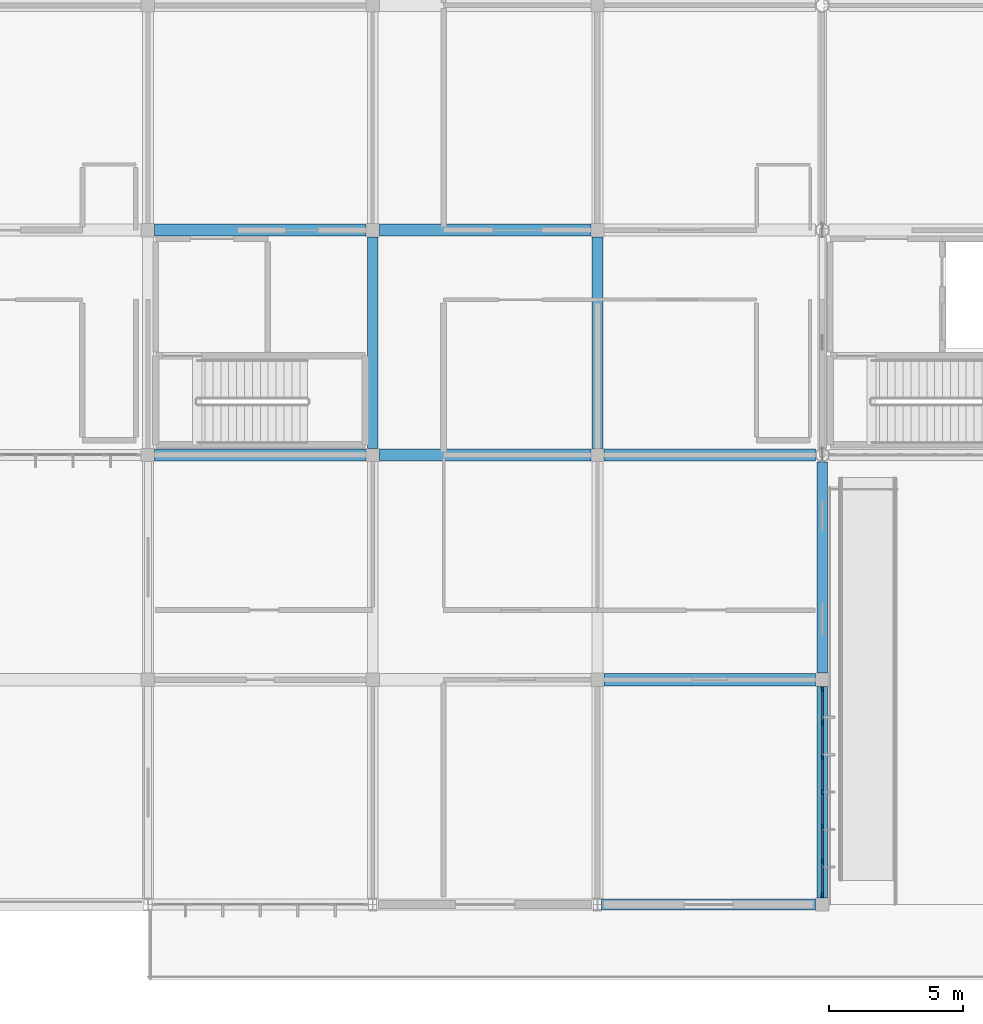
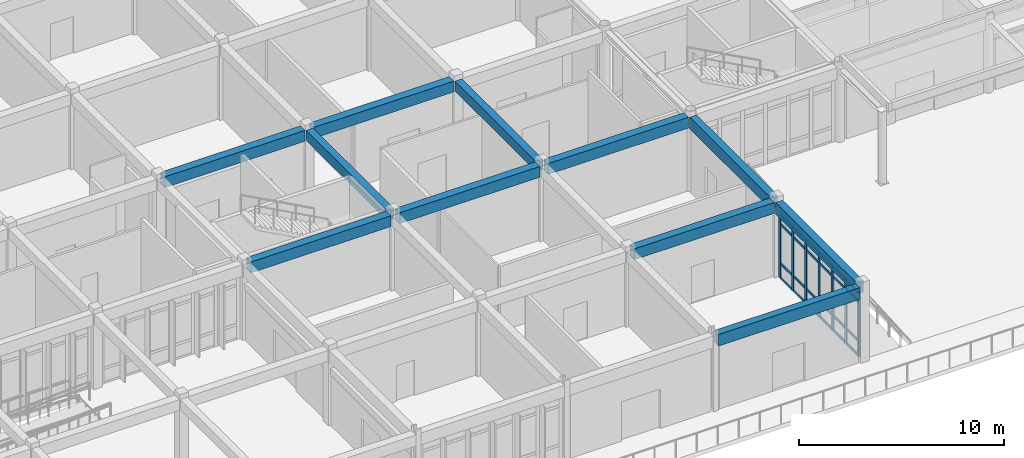
# One storey, part 13 of 138: 31 members, 11 beams, 1 element without a shape of its own.
"""IFC4 building model written with IfcOpenShell, lengths in metres."""

import ifcopenshell
import ifcopenshell.guid

model = None  # the IFC model being written
_history = None  # IfcOwnerHistory: only IFC2X3 demands one
_inside = {}  # id of a spatial element -> (the spatial element, [elements in it])
_under = {}  # id of a project, library or spatial element -> (it, [spatial elements below it])
_declared = {}  # id of a project -> (the project, [libraries it declares])
_typed = {}  # id of a type object -> (the type object, [elements of that type])
_made_of = {}  # id of a material, layer set ... -> (it, [elements and type objects made of it])


def new_model(schema):
    """Start an empty IFC model of exactly this schema.

    Asked for "IFC4X3", IfcOpenShell would pick the latest addendum, in which some entities
    have other attributes; the version numbers below select the first issue.
    IFC2X3 requires an IfcOwnerHistory on every rooted entity: one is made here for all.
    """
    global model, _history
    if schema == "IFC4X3":
        model = ifcopenshell.file(schema_version=(4, 3, 0, 0))
    else:
        model = ifcopenshell.file(schema=schema)
    _inside.clear()
    _under.clear()
    _declared.clear()
    _typed.clear()
    _made_of.clear()
    _history = None
    if model.schema == "IFC2X3":
        org = make("IfcOrganization", Name="unknown")
        user = make(
            "IfcPersonAndOrganization",
            ThePerson=make("IfcPerson", FamilyName="unknown"),
            TheOrganization=org,
        )
        app = make(
            "IfcApplication",
            ApplicationDeveloper=org,
            Version="unknown",
            ApplicationFullName="unknown",
            ApplicationIdentifier="unknown",
        )
        _history = make(
            "IfcOwnerHistory",
            OwningUser=user,
            OwningApplication=app,
            ChangeAction="ADDED",
            CreationDate=0,
        )
    return model


def make(cls, **values):
    """One entity of the class cls with the attributes given. An attribute that is None is left unset."""
    return model.create_entity(
        cls, **{name: value for name, value in values.items() if value is not None}
    )


def rooted(cls, **values):
    """An entity with a GlobalId (a new one), such as an element, a storey or a relation."""
    return make(cls, GlobalId=ifcopenshell.guid.new(), OwnerHistory=_history, **values)


def si_unit(unit_type, name, prefix=None):
    """IfcSIUnit, for example si_unit("LENGTHUNIT", "METRE", prefix="MILLI")."""
    return make("IfcSIUnit", UnitType=unit_type, Prefix=prefix, Name=name)


def assignment(units):
    """IfcUnitAssignment: the units of a project."""
    return None if units is None else make("IfcUnitAssignment", Units=units)


def point(xyz):
    """IfcCartesianPoint."""
    return None if xyz is None else make("IfcCartesianPoint", Coordinates=xyz)


def direction(xyz):
    """IfcDirection."""
    return None if xyz is None else make("IfcDirection", DirectionRatios=xyz)


def frame(location, z_axis=None, x_axis=None):
    """IfcAxis2Placement3D, a coordinate frame: its origin and axes. An axis left out is left unset."""
    return make(
        "IfcAxis2Placement3D",
        Location=point(location),
        Axis=direction(z_axis),
        RefDirection=direction(x_axis),
    )


def frame_2d(location, x_axis=None):
    """IfcAxis2Placement2D, a coordinate frame in the plane: its origin and x axis."""
    return make(
        "IfcAxis2Placement2D", Location=point(location), RefDirection=direction(x_axis)
    )


def origin():
    """The frame at (0, 0, 0) with its axes left unset."""
    return frame((0.0, 0.0, 0.0))


def origin_2d():
    """The frame at (0, 0) in the plane with its x axis left unset."""
    return frame_2d((0.0, 0.0))


def place(relative_to, where):
    """IfcLocalPlacement: puts the frame where relative to a parent placement (None: the world)."""
    return make(
        "IfcLocalPlacement", PlacementRelTo=relative_to, RelativePlacement=where
    )


def context(
    kind, dimensions, precision=None, world=None, true_north=None, identifier=None
):
    """IfcGeometricRepresentationContext, for example the 3D "Model" context."""
    return make(
        "IfcGeometricRepresentationContext",
        ContextIdentifier=identifier,
        ContextType=kind,
        CoordinateSpaceDimension=dimensions,
        Precision=precision,
        WorldCoordinateSystem=world,
        TrueNorth=true_north,
    )


def subcontext(parent, identifier, kind, view, scale=None):
    """IfcGeometricRepresentationSubContext, for example "Body" below "Model"."""
    return make(
        "IfcGeometricRepresentationSubContext",
        ContextIdentifier=identifier,
        ContextType=kind,
        ParentContext=parent,
        TargetScale=scale,
        TargetView=view,
    )


def project(units=None, contexts=None):
    """IfcProject with its units and contexts."""
    return rooted(
        "IfcProject",
        Name="project",
        RepresentationContexts=contexts,
        UnitsInContext=assignment(units),
    )


def spatial(cls, under=None, at=None, **own):
    """A site, building, storey or space (cls), placed at a placement, below another one or the project."""
    s = rooted(cls, ObjectPlacement=at, **own)
    if under is not None:
        _under.setdefault(under.id(), (under, []))[1].append(s)
    return s


def profile(cls, at=None, kind="AREA", **sizes):
    """A parametric profile (cls). Its sizes go by their IFC names, for example OverallWidth=200.0."""
    return make(cls, ProfileType=kind, Position=at, **sizes)


def rectangle(**sizes):
    """IfcRectangleProfileDef."""
    return profile("IfcRectangleProfileDef", **sizes)


def extrude(swept, where, along, depth):
    """IfcExtrudedAreaSolid: the profile swept, set in the frame where, extruded along a direction by depth."""
    return make(
        "IfcExtrudedAreaSolid",
        SweptArea=swept,
        Position=where,
        ExtrudedDirection=direction(along),
        Depth=depth,
    )


def shape(context_of_items, identifier, shape_type, items):
    """IfcShapeRepresentation: the items that make up one representation, for example the "Body"."""
    return make(
        "IfcShapeRepresentation",
        ContextOfItems=context_of_items,
        RepresentationIdentifier=identifier,
        RepresentationType=shape_type,
        Items=items,
    )


def material(Name=None, Category=None):
    """IfcMaterial."""
    return make("IfcMaterial", Name=Name, Category=Category)


def layer(
    of_material, thickness, ventilated=None, Name=None, Category=None, Priority=None
):
    """IfcMaterialLayer: one layer of a wall or slab, of a material (None: an air gap)."""
    return make(
        "IfcMaterialLayer",
        Material=of_material,
        LayerThickness=thickness,
        IsVentilated=ventilated,
        Name=Name,
        Category=Category,
        Priority=Priority,
    )


def layer_set(layers, Name=None):
    """IfcMaterialLayerSet."""
    return make("IfcMaterialLayerSet", MaterialLayers=layers, LayerSetName=Name)


def material_profile(
    of_material, cross_section, Name=None, Category=None, Priority=None
):
    """IfcMaterialProfile: a cross section and its material."""
    return make(
        "IfcMaterialProfile",
        Name=Name,
        Material=of_material,
        Profile=cross_section,
        Priority=Priority,
        Category=Category,
    )


def profile_set(profiles, Name=None, composite=None):
    """IfcMaterialProfileSet."""
    return make(
        "IfcMaterialProfileSet",
        Name=Name,
        MaterialProfiles=profiles,
        CompositeProfile=composite,
    )


def made_of(thing, what):
    """Note that an element or type object is made of a material, layer set ...; save() writes the relation."""
    if what is not None:
        _made_of.setdefault(what.id(), (what, []))[1].append(thing)
    return thing


def type_object(cls, material=None, **own):
    """A type object (cls), such as IfcWallType, which elements share."""
    return made_of(rooted(cls, **own), material)


def element(
    cls,
    number,
    at=None,
    inside=None,
    cuts=None,
    type_object=None,
    material=None,
    context=None,
    identifier="Body",
    shape_type=None,
    held_by="IfcProductDefinitionShape",
    body=None,
    shapes=None,
    **own,
):
    """One element of the class cls, such as IfcWall. Its Tag is "e" and its number.

    at: its placement. inside: the storey or other place that contains it. cuts: it is an
    opening in that element (IfcRelVoidsElement). A single representation is given by context,
    identifier, shape_type and body (its items); several are given by shapes. held_by: the class
    of the entity that holds the representations. save() writes the other relations.
    """
    e = rooted(cls, Tag="e%d" % number, ObjectPlacement=at, **own)
    if body is not None:
        shapes = [shape(context, identifier, shape_type, body)]
    if shapes is not None:
        e.Representation = make(held_by, Representations=shapes)
    if inside is not None:
        _inside.setdefault(inside.id(), (inside, []))[1].append(e)
    if cuts is not None:
        rooted(
            "IfcRelVoidsElement", RelatingBuildingElement=cuts, RelatedOpeningElement=e
        )
    if type_object is not None:
        _typed.setdefault(type_object.id(), (type_object, []))[1].append(e)
    return made_of(e, material)


def aggregate(whole, parts):
    """IfcRelAggregates: a whole, such as a stair, and the parts it consists of."""
    return rooted("IfcRelAggregates", RelatingObject=whole, RelatedObjects=parts)


def save(model, path):
    """Write the relations noted so far, then the file.

    IfcRelAggregates (storeys below a building ...), IfcRelContainedInSpatialStructure (elements
    in a storey), IfcRelDefinesByType, IfcRelAssociatesMaterial and IfcRelDeclares: one each for
    every whole, place, type object, material and project.
    """
    for whole, parts in _under.values():
        aggregate(whole, parts)
    for where, things in _inside.values():
        rooted(
            "IfcRelContainedInSpatialStructure",
            RelatedElements=things,
            RelatingStructure=where,
        )
    for kind, things in _typed.values():
        rooted("IfcRelDefinesByType", RelatedObjects=things, RelatingType=kind)
    for what, things in _made_of.values():
        rooted("IfcRelAssociatesMaterial", RelatedObjects=things, RelatingMaterial=what)
    for by, libraries in _declared.values():
        rooted("IfcRelDeclares", RelatingContext=by, RelatedDefinitions=libraries)
    model.write(path)


model = new_model("IFC4")

# Units and contexts
model_context = context("Model", 3, precision=1e-05, world=origin(), true_north=direction((0.0, 1.0)))
body_context = subcontext(model_context, "Body", "Model", "MODEL_VIEW")
ifc_project = project(units=[si_unit("LENGTHUNIT", "METRE"), si_unit("AREAUNIT", "SQUARE_METRE"), si_unit("VOLUMEUNIT", "CUBIC_METRE"), si_unit("PLANEANGLEUNIT", "RADIAN"), si_unit("MASSUNIT", "GRAM", prefix="KILO")], contexts=[model_context])

# Site, building, storey
site_placement = place(None, origin())
site = spatial("IfcSite", under=ifc_project, at=site_placement, CompositionType="ELEMENT")
building_placement = place(site_placement, origin())
building = spatial("IfcBuilding", under=site, at=building_placement, Name="Bramfleet General Hospital", CompositionType="ELEMENT")
storey_placement = place(building_placement, origin())
storey = spatial("IfcBuildingStorey", under=building, at=storey_placement, Name="L00", CompositionType="ELEMENT", Elevation=0.0)

# Beams
ifc_material_1 = material(Name="Concrete C35/45", Category="concrete")
ifc_material_profile_1 = material_profile(ifc_material_1, rectangle(XDim=0.39990234375, YDim=0.60009765625, at=origin_2d()), Name="RC BM 600x400")
ifc_profile_set_1 = profile_set([ifc_material_profile_1], Name="Concrete C35/45")
beam_type_1 = type_object("IfcBeamType", Name="BM-RC600", PredefinedType="BEAM", material=ifc_profile_set_1)
for number, where, z_axis, x_axis, name in (
    (1, (33.60009765625, 17.050048828125, 4.199951171875), (0.0, 1.0, 0.0), (-1.0, 0.0, 0.0), "L00 Grid Beam Y 04-02"),
    (2, (42.0, 17.050048828125, 4.199951171875), (0.0, 1.0, 0.0), (-1.0, 0.0, 0.0), "L00 Grid Beam Y 05-02"),
):
    element("IfcBeam", number, at=place(storey_placement, frame(where, z_axis=z_axis, x_axis=x_axis)), inside=storey, type_object=beam_type_1, Name=name, PredefinedType="BEAM", context=body_context, shape_type="SweptSolid", body=[
        extrude(rectangle(XDim=0.39990234375, YDim=0.60009765625, at=origin_2d()), origin(), (0.0, 0.0, 1.0), 7.89990234375),
    ])
ifc_material_profile_2 = material_profile(ifc_material_1, rectangle(XDim=0.449951171875, YDim=0.64990234375, at=origin_2d()), Name="RC BM 650x450")
ifc_profile_set_2 = profile_set([ifc_material_profile_2], Name="Concrete C35/45")
beam_type_2 = type_object("IfcBeamType", Name="BM-RC650", PredefinedType="BEAM", material=ifc_profile_set_2)
for number, where, z_axis, x_axis, name in (
    (3, (25.449951171875, 16.800048828125, 4.175048828125), (1.0, 0.0, 0.0), (0.0, 1.0, 0.0), "L00 Grid Beam X 03-02"),
    (4, (25.449951171875, 25.199951171875, 4.175048828125), (1.0, 0.0, 0.0), (0.0, 1.0, 0.0), "L00 Grid Beam X 03-03"),
):
    element("IfcBeam", number, at=place(storey_placement, frame(where, z_axis=z_axis, x_axis=x_axis)), inside=storey, type_object=beam_type_2, Name=name, PredefinedType="BEAM", context=body_context, shape_type="SweptSolid", body=[
        extrude(rectangle(XDim=0.449951171875, YDim=0.64990234375, at=origin_2d()), origin(), (0.0, 0.0, 1.0), 7.900146484375),
    ])
for number, where, z_axis, x_axis, name in (
    (5, (33.85009765625, 16.800048828125, 4.175048828125), (1.0, 0.0, 0.0), (0.0, 1.0, 0.0), "L00 Grid Beam X 04-02"),
    (6, (33.85009765625, 25.199951171875, 4.175048828125), (1.0, 0.0, 0.0), (0.0, 1.0, 0.0), "L00 Grid Beam X 04-03"),
    (7, (42.25, 8.39990234375, 4.175048828125), (1.0, 0.0, 0.0), (0.0, 1.0, 0.0), "L00 Grid Beam X 05-01"),
):
    element("IfcBeam", number, at=place(storey_placement, frame(where, z_axis=z_axis, x_axis=x_axis)), inside=storey, type_object=beam_type_2, Name=name, PredefinedType="BEAM", context=body_context, shape_type="SweptSolid", body=[
        extrude(rectangle(XDim=0.449951171875, YDim=0.64990234375, at=origin_2d()), origin(), (0.0, 0.0, 1.0), 7.89990234375),
    ])
beam_1_placement = place(storey_placement, frame((42.25, 16.800048828125, 4.175048828125), z_axis=(1.0, 0.0, 0.0), x_axis=(0.0, 1.0, 0.0)))
element("IfcBeam", 8, at=beam_1_placement, inside=storey, type_object=beam_type_2, Name="L00 Grid Beam X 05-02", PredefinedType="BEAM", context=body_context, shape_type="SweptSolid", body=[
    extrude(rectangle(XDim=0.449951171875, YDim=0.64990234375, at=origin_2d()), origin(), (0.0, 0.0, 1.0), 7.89599609375),
])
ifc_material_profile_3 = material_profile(ifc_material_1, rectangle(XDim=0.39990234375, YDim=0.699951171875, at=origin_2d()), Name="RC SP 700x400")
ifc_profile_set_3 = profile_set([ifc_material_profile_3], Name="Concrete C35/45")
beam_type_3 = type_object("IfcBeamType", Name="BM-SP700", PredefinedType="SPANDREL", material=ifc_profile_set_3)
beam_2_placement = place(storey_placement, frame((42.14990234375, 0.0, 4.14990234375), z_axis=(1.0, 0.0, 0.0), x_axis=(0.0, 1.0, 0.0)))
element("IfcBeam", 9, at=beam_2_placement, inside=storey, type_object=beam_type_3, Name="L00 Grid Beam X 05-00", PredefinedType="SPANDREL", context=body_context, shape_type="SweptSolid", body=[
    extrude(rectangle(XDim=0.39990234375, YDim=0.699951171875, at=origin_2d()), origin(), (0.0, 0.0, 1.0), 8.0),
])
beam_3_placement = place(storey_placement, frame((50.39990234375, 0.25, 4.14990234375), z_axis=(0.0, 1.0, 0.0), x_axis=(-1.0, 0.0, 0.0)))
element("IfcBeam", 10, at=beam_3_placement, inside=storey, type_object=beam_type_3, Name="L00 Grid Beam Y 06-00", PredefinedType="SPANDREL", context=body_context, shape_type="SweptSolid", body=[
    extrude(rectangle(XDim=0.39990234375, YDim=0.699951171875, at=origin_2d()), origin(), (0.0, 0.0, 1.0), 7.89990234375),
])
beam_4_placement = place(storey_placement, frame((50.39990234375, 8.64990234375, 4.14990234375), z_axis=(0.0, 1.0, 0.0), x_axis=(-1.0, 0.0, 0.0)))
element("IfcBeam", 11, at=beam_4_placement, inside=storey, type_object=beam_type_3, Name="L00 Grid Beam Y 06-01", PredefinedType="SPANDREL", context=body_context, shape_type="SweptSolid", body=[
    extrude(rectangle(XDim=0.39990234375, YDim=0.699951171875, at=origin_2d()), origin(), (0.0, 0.0, 1.0), 7.89599609375),
])

# Curtain wall, members
ifc_material_2 = material(Name="Anodised aluminium and low-E triple glazing", Category="aluminium")
ifc_layer = layer(ifc_material_2, 0.179931640625, Name="CWT-CW-01")
ifc_layer_set = layer_set([ifc_layer], Name="Anodised aluminium and low-E triple glazing")
curtain_wall_type = type_object("IfcCurtainWallType", Name="CWT-CW-01", PredefinedType="USERDEFINED", material=ifc_layer_set)
curtain_wall_placement = place(storey_placement, origin())
curtain_wall = element("IfcCurtainWall", 12, at=curtain_wall_placement, inside=storey, type_object=curtain_wall_type, Name="L00 Curtain Wall 37", ObjectType="Unitised curtain wall", PredefinedType="USERDEFINED")
ifc_material_3 = material(Name="Structural timber GL28h", Category="wood")
ifc_material_profile_4 = material_profile(ifc_material_3, rectangle(XDim=0.070068359375, YDim=0.18994140625, at=origin_2d()), Name="LARCH 190x70")
ifc_profile_set_4 = profile_set([ifc_material_profile_4], Name="Structural timber GL28h")
member_type_1 = type_object("IfcMemberType", Name="CWM-LARCH450", PredefinedType="MULLION", material=ifc_profile_set_4)
member_1_placement = place(storey_placement, frame((50.39990234375, 8.0400390625, 0.0), z_axis=(0.0, 0.0, 1.0), x_axis=(1.0, 0.0, 0.0)))
member_1 = element("IfcMember", 13, at=member_1_placement, type_object=member_type_1, Name="CW-01 mullion 1", PredefinedType="MULLION", context=body_context, shape_type="SweptSolid", body=[
    extrude(rectangle(XDim=0.070068359375, YDim=0.18994140625, at=origin_2d()), origin(), (0.0, 0.0, 1.0), 3.7900390625),
])
member_2_placement = place(storey_placement, frame((50.39990234375, 6.783447265625, 0.0), z_axis=(0.0, 0.0, 1.0), x_axis=(1.0, 0.0, 0.0)))
member_2 = element("IfcMember", 14, at=member_2_placement, type_object=member_type_1, Name="CW-01 mullion 2", PredefinedType="MULLION", context=body_context, shape_type="SweptSolid", body=[
    extrude(rectangle(XDim=0.070068359375, YDim=0.18994140625, at=origin_2d()), origin(), (0.0, 0.0, 1.0), 3.7900390625),
])
member_3_placement = place(storey_placement, frame((50.39990234375, 5.49169921875, 0.0), z_axis=(0.0, 0.0, 1.0), x_axis=(1.0, 0.0, 0.0)))
member_3 = element("IfcMember", 15, at=member_3_placement, type_object=member_type_1, Name="CW-01 mullion 3", PredefinedType="MULLION", context=body_context, shape_type="SweptSolid", body=[
    extrude(rectangle(XDim=0.070068359375, YDim=0.18994140625, at=origin_2d()), origin(), (0.0, 0.0, 1.0), 3.7900390625),
])
member_4_placement = place(storey_placement, frame((50.39990234375, 4.199951171875, 0.0), z_axis=(0.0, 0.0, 1.0), x_axis=(1.0, 0.0, 0.0)))
member_4 = element("IfcMember", 16, at=member_4_placement, type_object=member_type_1, Name="CW-01 mullion 4", PredefinedType="MULLION", context=body_context, shape_type="SweptSolid", body=[
    extrude(rectangle(XDim=0.070068359375, YDim=0.18994140625, at=origin_2d()), origin(), (0.0, 0.0, 1.0), 3.7900390625),
])
member_5_placement = place(storey_placement, frame((50.39990234375, 2.908447265625, 0.0), z_axis=(0.0, 0.0, 1.0), x_axis=(1.0, 0.0, 0.0)))
member_5 = element("IfcMember", 17, at=member_5_placement, type_object=member_type_1, Name="CW-01 mullion 5", PredefinedType="MULLION", context=body_context, shape_type="SweptSolid", body=[
    extrude(rectangle(XDim=0.070068359375, YDim=0.18994140625, at=origin_2d()), origin(), (0.0, 0.0, 1.0), 3.7900390625),
])
member_6_placement = place(storey_placement, frame((50.39990234375, 1.61669921875, 0.0), z_axis=(0.0, 0.0, 1.0), x_axis=(1.0, 0.0, 0.0)))
member_6 = element("IfcMember", 18, at=member_6_placement, type_object=member_type_1, Name="CW-01 mullion 6", PredefinedType="MULLION", context=body_context, shape_type="SweptSolid", body=[
    extrude(rectangle(XDim=0.070068359375, YDim=0.18994140625, at=origin_2d()), origin(), (0.0, 0.0, 1.0), 3.7900390625),
])
member_7_placement = place(storey_placement, frame((50.39990234375, 0.360107421875, 0.0), z_axis=(0.0, 0.0, 1.0), x_axis=(1.0, 0.0, 0.0)))
member_7 = element("IfcMember", 19, at=member_7_placement, type_object=member_type_1, Name="CW-01 mullion 7", PredefinedType="MULLION", context=body_context, shape_type="SweptSolid", body=[
    extrude(rectangle(XDim=0.070068359375, YDim=0.18994140625, at=origin_2d()), origin(), (0.0, 0.0, 1.0), 3.7900390625),
])
ifc_material_profile_5 = material_profile(ifc_material_3, rectangle(XDim=0.06494140625, YDim=0.14990234375, at=origin_2d()), Name="LARCH 150x65")
ifc_profile_set_5 = profile_set([ifc_material_profile_5], Name="Structural timber GL28h")
member_type_2 = type_object("IfcMemberType", Name="CWT-LARCH220", PredefinedType="USERDEFINED", material=ifc_profile_set_5)
member_8_placement = place(storey_placement, frame((50.39990234375, 8.0048828125, 0.032470703125), z_axis=(0.0, -1.0, 0.0), x_axis=(1.0, 0.0, 0.0)))
member_8 = element("IfcMember", 20, at=member_8_placement, type_object=member_type_2, Name="CW-01 transom 1.1", ObjectType="TRANSOM", PredefinedType="USERDEFINED", context=body_context, shape_type="SweptSolid", body=[
    extrude(rectangle(XDim=0.06494140625, YDim=0.14990234375, at=origin_2d()), origin(), (0.0, 0.0, 1.0), 1.1865234375),
])
member_9_placement = place(storey_placement, frame((50.39990234375, 8.0048828125, 0.89990234375), z_axis=(0.0, -1.0, 0.0), x_axis=(1.0, 0.0, 0.0)))
member_9 = element("IfcMember", 21, at=member_9_placement, type_object=member_type_2, Name="CW-01 transom 1.2", ObjectType="TRANSOM", PredefinedType="USERDEFINED", context=body_context, shape_type="SweptSolid", body=[
    extrude(rectangle(XDim=0.06494140625, YDim=0.14990234375, at=origin_2d()), origin(), (0.0, 0.0, 1.0), 1.1865234375),
])
member_10_placement = place(storey_placement, frame((50.39990234375, 8.0048828125, 3.239990234375), z_axis=(0.0, -1.0, 0.0), x_axis=(1.0, 0.0, 0.0)))
member_10 = element("IfcMember", 22, at=member_10_placement, type_object=member_type_2, Name="CW-01 transom 1.3", ObjectType="TRANSOM", PredefinedType="USERDEFINED", context=body_context, shape_type="SweptSolid", body=[
    extrude(rectangle(XDim=0.06494140625, YDim=0.14990234375, at=origin_2d()), origin(), (0.0, 0.0, 1.0), 1.1865234375),
])
member_11_placement = place(storey_placement, frame((50.39990234375, 8.0048828125, 3.757568359375), z_axis=(0.0, -1.0, 0.0), x_axis=(1.0, 0.0, 0.0)))
member_11 = element("IfcMember", 23, at=member_11_placement, type_object=member_type_2, Name="CW-01 transom 1.4", ObjectType="TRANSOM", PredefinedType="USERDEFINED", context=body_context, shape_type="SweptSolid", body=[
    extrude(rectangle(XDim=0.06494140625, YDim=0.14990234375, at=origin_2d()), origin(), (0.0, 0.0, 1.0), 1.1865234375),
])
member_12_placement = place(storey_placement, frame((50.39990234375, 6.748291015625, 0.032470703125), z_axis=(0.0, -1.0, 0.0), x_axis=(1.0, 0.0, 0.0)))
member_12 = element("IfcMember", 24, at=member_12_placement, type_object=member_type_2, Name="CW-01 transom 2.1", ObjectType="TRANSOM", PredefinedType="USERDEFINED", context=body_context, shape_type="SweptSolid", body=[
    extrude(rectangle(XDim=0.06494140625, YDim=0.14990234375, at=origin_2d()), origin(), (0.0, 0.0, 1.0), 1.2216796875),
])
member_13_placement = place(storey_placement, frame((50.39990234375, 6.748291015625, 0.89990234375), z_axis=(0.0, -1.0, 0.0), x_axis=(1.0, 0.0, 0.0)))
member_13 = element("IfcMember", 25, at=member_13_placement, type_object=member_type_2, Name="CW-01 transom 2.2", ObjectType="TRANSOM", PredefinedType="USERDEFINED", context=body_context, shape_type="SweptSolid", body=[
    extrude(rectangle(XDim=0.06494140625, YDim=0.14990234375, at=origin_2d()), origin(), (0.0, 0.0, 1.0), 1.2216796875),
])
member_14_placement = place(storey_placement, frame((50.39990234375, 6.748291015625, 3.239990234375), z_axis=(0.0, -1.0, 0.0), x_axis=(1.0, 0.0, 0.0)))
member_14 = element("IfcMember", 26, at=member_14_placement, type_object=member_type_2, Name="CW-01 transom 2.3", ObjectType="TRANSOM", PredefinedType="USERDEFINED", context=body_context, shape_type="SweptSolid", body=[
    extrude(rectangle(XDim=0.06494140625, YDim=0.14990234375, at=origin_2d()), origin(), (0.0, 0.0, 1.0), 1.2216796875),
])
member_15_placement = place(storey_placement, frame((50.39990234375, 6.748291015625, 3.757568359375), z_axis=(0.0, -1.0, 0.0), x_axis=(1.0, 0.0, 0.0)))
member_15 = element("IfcMember", 27, at=member_15_placement, type_object=member_type_2, Name="CW-01 transom 2.4", ObjectType="TRANSOM", PredefinedType="USERDEFINED", context=body_context, shape_type="SweptSolid", body=[
    extrude(rectangle(XDim=0.06494140625, YDim=0.14990234375, at=origin_2d()), origin(), (0.0, 0.0, 1.0), 1.2216796875),
])
member_16_placement = place(storey_placement, frame((50.39990234375, 5.456787109375, 0.032470703125), z_axis=(0.0, -1.0, 0.0), x_axis=(1.0, 0.0, 0.0)))
member_16 = element("IfcMember", 28, at=member_16_placement, type_object=member_type_2, Name="CW-01 transom 3.1", ObjectType="TRANSOM", PredefinedType="USERDEFINED", context=body_context, shape_type="SweptSolid", body=[
    extrude(rectangle(XDim=0.06494140625, YDim=0.14990234375, at=origin_2d()), origin(), (0.0, 0.0, 1.0), 1.2216796875),
])
member_17_placement = place(storey_placement, frame((50.39990234375, 5.456787109375, 0.89990234375), z_axis=(0.0, -1.0, 0.0), x_axis=(1.0, 0.0, 0.0)))
member_17 = element("IfcMember", 29, at=member_17_placement, type_object=member_type_2, Name="CW-01 transom 3.2", ObjectType="TRANSOM", PredefinedType="USERDEFINED", context=body_context, shape_type="SweptSolid", body=[
    extrude(rectangle(XDim=0.06494140625, YDim=0.14990234375, at=origin_2d()), origin(), (0.0, 0.0, 1.0), 1.2216796875),
])
member_18_placement = place(storey_placement, frame((50.39990234375, 5.456787109375, 3.239990234375), z_axis=(0.0, -1.0, 0.0), x_axis=(1.0, 0.0, 0.0)))
member_18 = element("IfcMember", 30, at=member_18_placement, type_object=member_type_2, Name="CW-01 transom 3.3", ObjectType="TRANSOM", PredefinedType="USERDEFINED", context=body_context, shape_type="SweptSolid", body=[
    extrude(rectangle(XDim=0.06494140625, YDim=0.14990234375, at=origin_2d()), origin(), (0.0, 0.0, 1.0), 1.2216796875),
])
member_19_placement = place(storey_placement, frame((50.39990234375, 5.456787109375, 3.757568359375), z_axis=(0.0, -1.0, 0.0), x_axis=(1.0, 0.0, 0.0)))
member_19 = element("IfcMember", 31, at=member_19_placement, type_object=member_type_2, Name="CW-01 transom 3.4", ObjectType="TRANSOM", PredefinedType="USERDEFINED", context=body_context, shape_type="SweptSolid", body=[
    extrude(rectangle(XDim=0.06494140625, YDim=0.14990234375, at=origin_2d()), origin(), (0.0, 0.0, 1.0), 1.2216796875),
])
member_20_placement = place(storey_placement, frame((50.39990234375, 4.1650390625, 0.032470703125), z_axis=(0.0, -1.0, 0.0), x_axis=(1.0, 0.0, 0.0)))
member_20 = element("IfcMember", 32, at=member_20_placement, type_object=member_type_2, Name="CW-01 transom 4.1", ObjectType="TRANSOM", PredefinedType="USERDEFINED", context=body_context, shape_type="SweptSolid", body=[
    extrude(rectangle(XDim=0.06494140625, YDim=0.14990234375, at=origin_2d()), origin(), (0.0, 0.0, 1.0), 1.2216796875),
])
member_21_placement = place(storey_placement, frame((50.39990234375, 4.1650390625, 0.89990234375), z_axis=(0.0, -1.0, 0.0), x_axis=(1.0, 0.0, 0.0)))
member_21 = element("IfcMember", 33, at=member_21_placement, type_object=member_type_2, Name="CW-01 transom 4.2", ObjectType="TRANSOM", PredefinedType="USERDEFINED", context=body_context, shape_type="SweptSolid", body=[
    extrude(rectangle(XDim=0.06494140625, YDim=0.14990234375, at=origin_2d()), origin(), (0.0, 0.0, 1.0), 1.2216796875),
])
member_22_placement = place(storey_placement, frame((50.39990234375, 4.1650390625, 3.239990234375), z_axis=(0.0, -1.0, 0.0), x_axis=(1.0, 0.0, 0.0)))
member_22 = element("IfcMember", 34, at=member_22_placement, type_object=member_type_2, Name="CW-01 transom 4.3", ObjectType="TRANSOM", PredefinedType="USERDEFINED", context=body_context, shape_type="SweptSolid", body=[
    extrude(rectangle(XDim=0.06494140625, YDim=0.14990234375, at=origin_2d()), origin(), (0.0, 0.0, 1.0), 1.2216796875),
])
member_23_placement = place(storey_placement, frame((50.39990234375, 4.1650390625, 3.757568359375), z_axis=(0.0, -1.0, 0.0), x_axis=(1.0, 0.0, 0.0)))
member_23 = element("IfcMember", 35, at=member_23_placement, type_object=member_type_2, Name="CW-01 transom 4.4", ObjectType="TRANSOM", PredefinedType="USERDEFINED", context=body_context, shape_type="SweptSolid", body=[
    extrude(rectangle(XDim=0.06494140625, YDim=0.14990234375, at=origin_2d()), origin(), (0.0, 0.0, 1.0), 1.2216796875),
])
member_24_placement = place(storey_placement, frame((50.39990234375, 2.873291015625, 0.032470703125), z_axis=(0.0, -1.0, 0.0), x_axis=(1.0, 0.0, 0.0)))
member_24 = element("IfcMember", 36, at=member_24_placement, type_object=member_type_2, Name="CW-01 transom 5.1", ObjectType="TRANSOM", PredefinedType="USERDEFINED", context=body_context, shape_type="SweptSolid", body=[
    extrude(rectangle(XDim=0.06494140625, YDim=0.14990234375, at=origin_2d()), origin(), (0.0, 0.0, 1.0), 1.2216796875),
])
member_25_placement = place(storey_placement, frame((50.39990234375, 2.873291015625, 0.89990234375), z_axis=(0.0, -1.0, 0.0), x_axis=(1.0, 0.0, 0.0)))
member_25 = element("IfcMember", 37, at=member_25_placement, type_object=member_type_2, Name="CW-01 transom 5.2", ObjectType="TRANSOM", PredefinedType="USERDEFINED", context=body_context, shape_type="SweptSolid", body=[
    extrude(rectangle(XDim=0.06494140625, YDim=0.14990234375, at=origin_2d()), origin(), (0.0, 0.0, 1.0), 1.2216796875),
])
member_26_placement = place(storey_placement, frame((50.39990234375, 2.873291015625, 3.239990234375), z_axis=(0.0, -1.0, 0.0), x_axis=(1.0, 0.0, 0.0)))
member_26 = element("IfcMember", 38, at=member_26_placement, type_object=member_type_2, Name="CW-01 transom 5.3", ObjectType="TRANSOM", PredefinedType="USERDEFINED", context=body_context, shape_type="SweptSolid", body=[
    extrude(rectangle(XDim=0.06494140625, YDim=0.14990234375, at=origin_2d()), origin(), (0.0, 0.0, 1.0), 1.2216796875),
])
member_27_placement = place(storey_placement, frame((50.39990234375, 2.873291015625, 3.757568359375), z_axis=(0.0, -1.0, 0.0), x_axis=(1.0, 0.0, 0.0)))
member_27 = element("IfcMember", 39, at=member_27_placement, type_object=member_type_2, Name="CW-01 transom 5.4", ObjectType="TRANSOM", PredefinedType="USERDEFINED", context=body_context, shape_type="SweptSolid", body=[
    extrude(rectangle(XDim=0.06494140625, YDim=0.14990234375, at=origin_2d()), origin(), (0.0, 0.0, 1.0), 1.2216796875),
])
member_28_placement = place(storey_placement, frame((50.39990234375, 1.581787109375, 0.032470703125), z_axis=(0.0, -1.0, 0.0), x_axis=(1.0, 0.0, 0.0)))
member_28 = element("IfcMember", 40, at=member_28_placement, type_object=member_type_2, Name="CW-01 transom 6.1", ObjectType="TRANSOM", PredefinedType="USERDEFINED", context=body_context, shape_type="SweptSolid", body=[
    extrude(rectangle(XDim=0.06494140625, YDim=0.14990234375, at=origin_2d()), origin(), (0.0, 0.0, 1.0), 1.186767578125),
])
member_29_placement = place(storey_placement, frame((50.39990234375, 1.581787109375, 0.89990234375), z_axis=(0.0, -1.0, 0.0), x_axis=(1.0, 0.0, 0.0)))
member_29 = element("IfcMember", 41, at=member_29_placement, type_object=member_type_2, Name="CW-01 transom 6.2", ObjectType="TRANSOM", PredefinedType="USERDEFINED", context=body_context, shape_type="SweptSolid", body=[
    extrude(rectangle(XDim=0.06494140625, YDim=0.14990234375, at=origin_2d()), origin(), (0.0, 0.0, 1.0), 1.186767578125),
])
member_30_placement = place(storey_placement, frame((50.39990234375, 1.581787109375, 3.239990234375), z_axis=(0.0, -1.0, 0.0), x_axis=(1.0, 0.0, 0.0)))
member_30 = element("IfcMember", 42, at=member_30_placement, type_object=member_type_2, Name="CW-01 transom 6.3", ObjectType="TRANSOM", PredefinedType="USERDEFINED", context=body_context, shape_type="SweptSolid", body=[
    extrude(rectangle(XDim=0.06494140625, YDim=0.14990234375, at=origin_2d()), origin(), (0.0, 0.0, 1.0), 1.186767578125),
])
member_31_placement = place(storey_placement, frame((50.39990234375, 1.581787109375, 3.757568359375), z_axis=(0.0, -1.0, 0.0), x_axis=(1.0, 0.0, 0.0)))
member_31 = element("IfcMember", 43, at=member_31_placement, type_object=member_type_2, Name="CW-01 transom 6.4", ObjectType="TRANSOM", PredefinedType="USERDEFINED", context=body_context, shape_type="SweptSolid", body=[
    extrude(rectangle(XDim=0.06494140625, YDim=0.14990234375, at=origin_2d()), origin(), (0.0, 0.0, 1.0), 1.186767578125),
])
aggregate(curtain_wall, [member_1, member_2, member_3, member_4, member_5, member_6, member_7, member_8, member_9, member_10, member_11, member_12, member_13, member_14, member_15, member_16, member_17, member_18, member_19, member_20, member_21, member_22, member_23, member_24, member_25, member_26, member_27, member_28, member_29, member_30, member_31])

save(model, "model.ifc")
